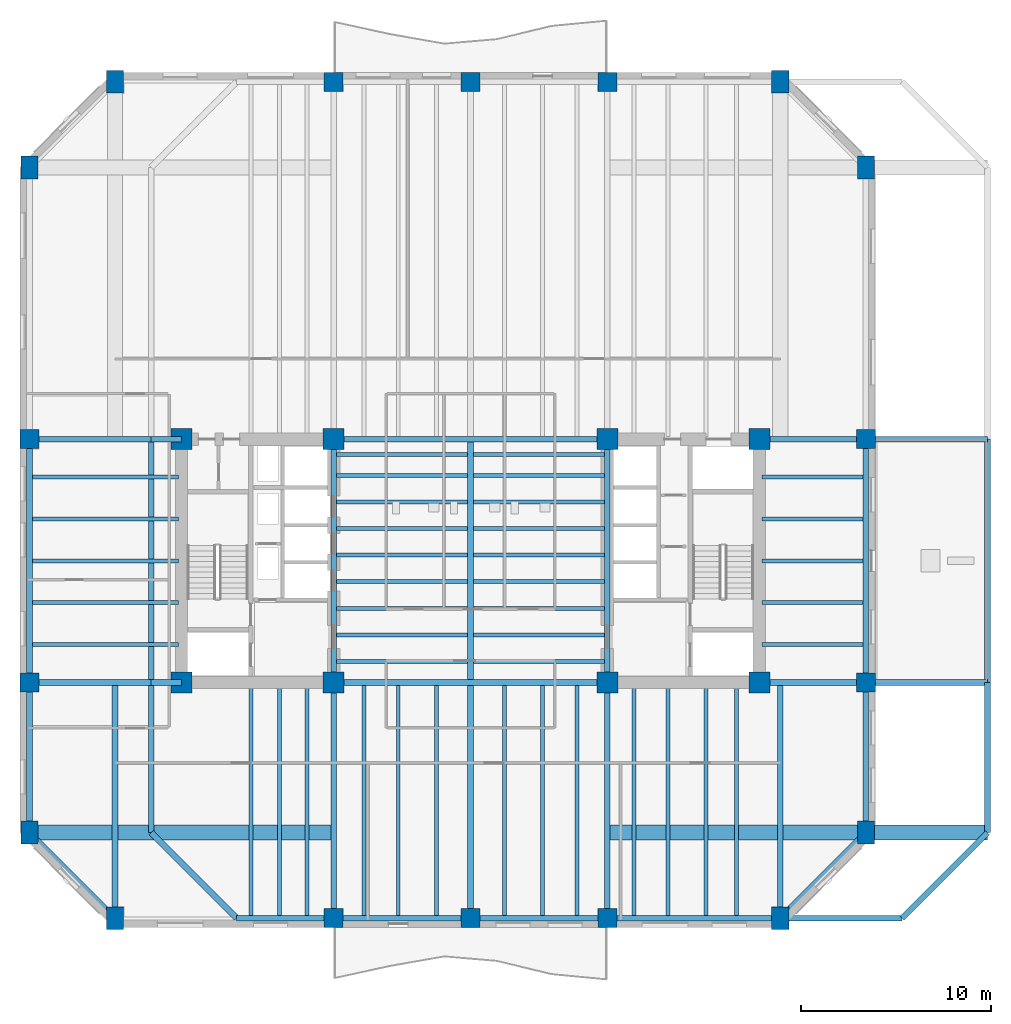
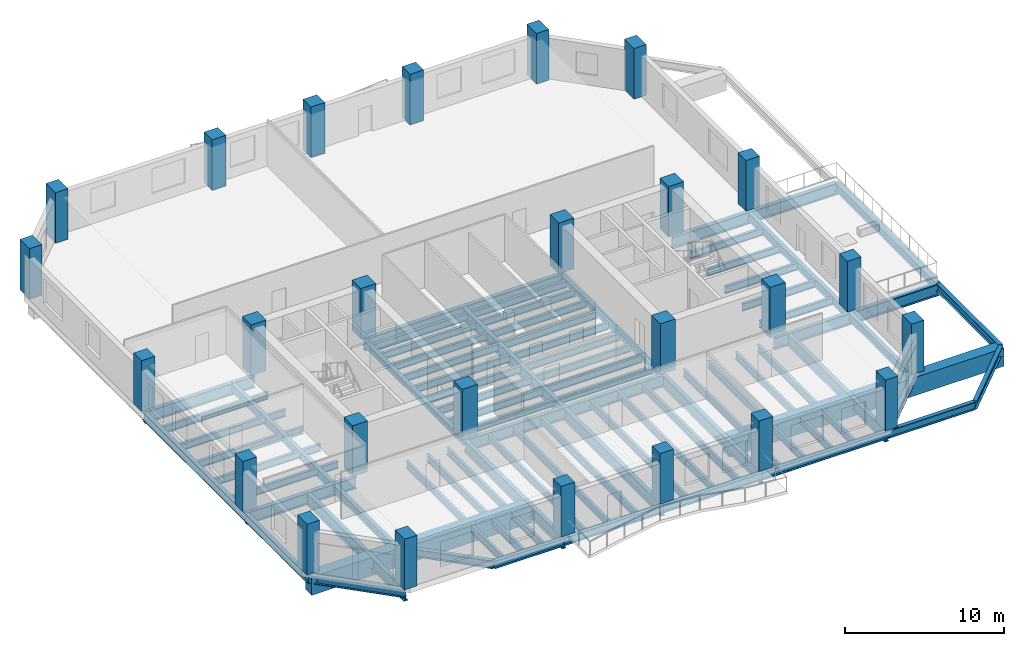
# One storey, part 1 of 11: 75 beams, 26 columns.
"""IFC4 building model written with IfcOpenShell, lengths in metres."""

from ifc_helpers import new_model, si_unit, direction, frame, origin, origin_2d, place, context, subcontext, project, spatial, rectangle, i_section, extrude, material, material_profile, profile_set, type_object, element, save


model = new_model("IFC4")

# Units and contexts
model_context = context("Model", 3, precision=1e-05, world=origin(), true_north=direction((0.0, 1.0)))
body_context = subcontext(model_context, "Body", "Model", "MODEL_VIEW")
ifc_project = project(units=[si_unit("LENGTHUNIT", "METRE"), si_unit("AREAUNIT", "SQUARE_METRE"), si_unit("VOLUMEUNIT", "CUBIC_METRE"), si_unit("PLANEANGLEUNIT", "RADIAN"), si_unit("MASSUNIT", "GRAM", prefix="KILO")], contexts=[model_context])

# Site, building, storey
site_placement = place(None, origin())
site = spatial("IfcSite", under=ifc_project, at=site_placement, CompositionType="ELEMENT")
building_placement = place(site_placement, origin())
building = spatial("IfcBuilding", under=site, at=building_placement, Name="Kranthara Brick Stack", CompositionType="ELEMENT")
storey_placement = place(building_placement, frame((0.0, 0.0, 94.5)))
storey = spatial("IfcBuildingStorey", under=building, at=storey_placement, Name="L23", CompositionType="ELEMENT", Elevation=94.5)

# Columns
ifc_material_1 = material(Name="Concrete C70/85", Category="concrete")
ifc_material_profile_1 = material_profile(ifc_material_1, rectangle(XDim=0.89990234375, YDim=1.199951171875, at=origin_2d()), Name="RC 900x1200")
ifc_profile_set_1 = profile_set([ifc_material_profile_1], Name="Concrete C70/85")
column_type_1 = type_object("IfcColumnType", Name="COL-CHAM-900x1200", PredefinedType="COLUMN", material=ifc_profile_set_1)
for number, where, z_axis, x_axis, name in (
    (1, (9.300048828125, 8.39990234375, 0.0), (0.0, 0.0, 1.0), (1.0, 0.0, 0.0), "L23 Column 09"),
    (2, (9.300048828125, 52.39990234375, 0.0), (0.0, 0.0, 1.0), (1.0, 0.0, 0.0), "L23 Column 10"),
    (3, (44.300048828125, 8.39990234375, 0.0), (0.0, 0.0, 1.0), (1.0, 0.0, 0.0), "L23 Column 17"),
    (4, (44.300048828125, 52.39990234375, 0.0), (0.0, 0.0, 1.0), (1.0, 0.0, 0.0), "L23 Column 18"),
    (5, (4.800048828125, 12.89990234375, 0.0), (0.0, 0.0, 1.0), (1.0, 0.0, 0.0), "L23 Column 19"),
    (6, (48.800048828125, 12.89990234375, 0.0), (0.0, 0.0, 1.0), (1.0, 0.0, 0.0), "L23 Column 20"),
    (7, (4.800048828125, 47.89990234375, 0.0), (0.0, 0.0, 1.0), (1.0, 0.0, 0.0), "L23 Column 25"),
    (8, (48.800048828125, 47.89990234375, 0.0), (0.0, 0.0, 1.0), (1.0, 0.0, 0.0), "L23 Column 26"),
):
    element("IfcColumn", number, at=place(storey_placement, frame(where, z_axis=z_axis, x_axis=x_axis)), inside=storey, type_object=column_type_1, Name=name, PredefinedType="COLUMN", context=body_context, shape_type="SweptSolid", body=[
        extrude(rectangle(XDim=0.89990234375, YDim=1.199951171875, at=origin_2d()), origin(), (0.0, 0.0, 1.0), 3.89990234375),
    ])
ifc_material_2 = material(Name="Concrete C70/85", Category="concrete")
ifc_material_profile_2 = material_profile(ifc_material_2, rectangle(XDim=1.10009765625, YDim=1.10009765625, at=origin_2d()), Name="RC 1100x1100")
ifc_profile_set_2 = profile_set([ifc_material_profile_2], Name="Concrete C70/85")
column_type_2 = type_object("IfcColumnType", Name="COL-CORE-1100", PredefinedType="COLUMN", material=ifc_profile_set_2)
for number, where, z_axis, x_axis, name in (
    (9, (12.800048828125, 20.800048828125, 0.0), (0.0, 0.0, 1.0), (1.0, 0.0, 0.0), "L23 Column 01"),
    (10, (20.800048828125, 20.800048828125, 0.0), (0.0, 0.0, 1.0), (1.0, 0.0, 0.0), "L23 Column 02"),
    (11, (12.800048828125, 33.60009765625, 0.0), (0.0, 0.0, 1.0), (1.0, 0.0, 0.0), "L23 Column 03"),
    (12, (20.800048828125, 33.60009765625, 0.0), (0.0, 0.0, 1.0), (1.0, 0.0, 0.0), "L23 Column 04"),
    (13, (35.199951171875, 20.800048828125, 0.0), (0.0, 0.0, 1.0), (1.0, 0.0, 0.0), "L23 Column 05"),
    (14, (43.199951171875, 20.800048828125, 0.0), (0.0, 0.0, 1.0), (1.0, 0.0, 0.0), "L23 Column 06"),
    (15, (35.199951171875, 33.60009765625, 0.0), (0.0, 0.0, 1.0), (1.0, 0.0, 0.0), "L23 Column 07"),
    (16, (43.199951171875, 33.60009765625, 0.0), (0.0, 0.0, 1.0), (1.0, 0.0, 0.0), "L23 Column 08"),
):
    element("IfcColumn", number, at=place(storey_placement, frame(where, z_axis=z_axis, x_axis=x_axis)), inside=storey, type_object=column_type_2, Name=name, PredefinedType="COLUMN", context=body_context, shape_type="SweptSolid", body=[
        extrude(rectangle(XDim=1.10009765625, YDim=1.10009765625, at=origin_2d()), origin(), (0.0, 0.0, 1.0), 3.89990234375),
    ])
ifc_material_3 = material(Name="Concrete C60/75", Category="concrete")
ifc_material_profile_3 = material_profile(ifc_material_3, rectangle(XDim=1.0, YDim=1.0, at=origin_2d()), Name="RC 1000x1000")
ifc_profile_set_3 = profile_set([ifc_material_profile_3], Name="Concrete C60/75")
column_type_3 = type_object("IfcColumnType", Name="COL-PER-1000", PredefinedType="COLUMN", material=ifc_profile_set_3)
for number, where, z_axis, x_axis, name in (
    (17, (20.800048828125, 8.39990234375, 0.0), (0.0, 0.0, 1.0), (1.0, 0.0, 0.0), "L23 Column 11"),
    (18, (20.800048828125, 52.39990234375, 0.0), (0.0, 0.0, 1.0), (1.0, 0.0, 0.0), "L23 Column 12"),
    (19, (28.0, 8.39990234375, 0.0), (0.0, 0.0, 1.0), (1.0, 0.0, 0.0), "L23 Column 13"),
    (20, (28.0, 52.39990234375, 0.0), (0.0, 0.0, 1.0), (1.0, 0.0, 0.0), "L23 Column 14"),
    (21, (35.199951171875, 8.39990234375, 0.0), (0.0, 0.0, 1.0), (1.0, 0.0, 0.0), "L23 Column 15"),
    (22, (35.199951171875, 52.39990234375, 0.0), (0.0, 0.0, 1.0), (1.0, 0.0, 0.0), "L23 Column 16"),
    (23, (4.800048828125, 20.800048828125, 0.0), (0.0, 0.0, 1.0), (1.0, 0.0, 0.0), "L23 Column 21"),
    (24, (48.800048828125, 20.800048828125, 0.0), (0.0, 0.0, 1.0), (1.0, 0.0, 0.0), "L23 Column 22"),
    (25, (4.800048828125, 33.60009765625, 0.0), (0.0, 0.0, 1.0), (1.0, 0.0, 0.0), "L23 Column 23"),
    (26, (48.800048828125, 33.60009765625, 0.0), (0.0, 0.0, 1.0), (1.0, 0.0, 0.0), "L23 Column 24"),
):
    element("IfcColumn", number, at=place(storey_placement, frame(where, z_axis=z_axis, x_axis=x_axis)), inside=storey, type_object=column_type_3, Name=name, PredefinedType="COLUMN", context=body_context, shape_type="SweptSolid", body=[
        extrude(rectangle(XDim=1.0, YDim=1.0, at=origin_2d()), origin(), (0.0, 0.0, 1.0), 3.89990234375),
    ])

# Beams
ifc_material_4 = material(Name="Steel S355", Category="steel")
ifc_material_profile_4 = material_profile(ifc_material_4, i_section(OverallWidth=0.2099609375, OverallDepth=0.550048828125, WebThickness=0.010986328125, FlangeThickness=0.01708984375, at=origin_2d()), Name="IPE 550")
ifc_profile_set_4 = profile_set([ifc_material_profile_4], Name="Steel S355")
beam_type_1 = type_object("IfcBeamType", Name="BM-JST-IPE550", PredefinedType="JOIST", material=ifc_profile_set_4)
for number, where, z_axis, x_axis, name in (
    (27, (20.949951171875, 21.89990234375, -0.72509765625), (1.0, 0.0, 0.0), (0.0, 1.0, 0.0), "L23 Central Floor Joist 054"),
    (28, (28.14990234375, 21.89990234375, -0.72509765625), (1.0, 0.0, 0.0), (0.0, 1.0, 0.0), "L23 Central Floor Joist 055"),
    (29, (20.949951171875, 23.300048828125, -0.72509765625), (1.0, 0.0, 0.0), (0.0, 1.0, 0.0), "L23 Central Floor Joist 056"),
    (30, (28.14990234375, 23.300048828125, -0.72509765625), (1.0, 0.0, 0.0), (0.0, 1.0, 0.0), "L23 Central Floor Joist 057"),
    (31, (20.949951171875, 24.699951171875, -0.72509765625), (1.0, 0.0, 0.0), (0.0, 1.0, 0.0), "L23 Central Floor Joist 058"),
    (32, (28.14990234375, 24.699951171875, -0.72509765625), (1.0, 0.0, 0.0), (0.0, 1.0, 0.0), "L23 Central Floor Joist 059"),
    (33, (20.949951171875, 26.10009765625, -0.72509765625), (1.0, 0.0, 0.0), (0.0, 1.0, 0.0), "L23 Central Floor Joist 060"),
    (34, (28.14990234375, 26.10009765625, -0.72509765625), (1.0, 0.0, 0.0), (0.0, 1.0, 0.0), "L23 Central Floor Joist 061"),
    (35, (20.949951171875, 27.5, -0.72509765625), (1.0, 0.0, 0.0), (0.0, 1.0, 0.0), "L23 Central Floor Joist 062"),
    (36, (28.14990234375, 27.5, -0.72509765625), (1.0, 0.0, 0.0), (0.0, 1.0, 0.0), "L23 Central Floor Joist 063"),
    (37, (20.949951171875, 28.89990234375, -0.72509765625), (1.0, 0.0, 0.0), (0.0, 1.0, 0.0), "L23 Central Floor Joist 064"),
    (38, (28.14990234375, 28.89990234375, -0.72509765625), (1.0, 0.0, 0.0), (0.0, 1.0, 0.0), "L23 Central Floor Joist 065"),
    (39, (20.949951171875, 30.300048828125, -0.72509765625), (1.0, 0.0, 0.0), (0.0, 1.0, 0.0), "L23 Central Floor Joist 066"),
    (40, (28.14990234375, 30.300048828125, -0.72509765625), (1.0, 0.0, 0.0), (0.0, 1.0, 0.0), "L23 Central Floor Joist 067"),
    (41, (20.949951171875, 31.699951171875, -0.72509765625), (1.0, 0.0, 0.0), (0.0, 1.0, 0.0), "L23 Central Floor Joist 068"),
    (42, (28.14990234375, 31.699951171875, -0.72509765625), (1.0, 0.0, 0.0), (0.0, 1.0, 0.0), "L23 Central Floor Joist 069"),
    (43, (20.949951171875, 32.800048828125, -0.72509765625), (1.0, 0.0, 0.0), (0.0, 1.0, 0.0), "L23 Central Floor Joist 070"),
    (44, (28.14990234375, 32.800048828125, -0.72509765625), (1.0, 0.0, 0.0), (0.0, 1.0, 0.0), "L23 Central Floor Joist 071"),
):
    element("IfcBeam", number, at=place(storey_placement, frame(where, z_axis=z_axis, x_axis=x_axis)), inside=storey, type_object=beam_type_1, Name=name, PredefinedType="JOIST", context=body_context, shape_type="SweptSolid", body=[
        extrude(i_section(OverallWidth=0.2099609375, OverallDepth=0.550048828125, WebThickness=0.010986328125, FlangeThickness=0.01708984375, at=origin_2d()), origin(), (0.0, 0.0, 1.0), 6.900146484375),
    ])
for number, where, z_axis, x_axis, name in (
    (45, (16.449951171875, 8.550048828125, -0.72509765625), (0.0, 1.0, 0.0), (-1.0, 0.0, 0.0), "L23 South Wing Floor Joist 072"),
    (46, (17.949951171875, 8.550048828125, -0.72509765625), (0.0, 1.0, 0.0), (-1.0, 0.0, 0.0), "L23 South Wing Floor Joist 074"),
    (47, (19.39990234375, 8.550048828125, -0.72509765625), (0.0, 1.0, 0.0), (-1.0, 0.0, 0.0), "L23 South Wing Floor Joist 076"),
    (48, (22.39990234375, 8.550048828125, -0.72509765625), (0.0, 1.0, 0.0), (-1.0, 0.0, 0.0), "L23 South Wing Floor Joist 078"),
    (49, (24.199951171875, 8.550048828125, -0.72509765625), (0.0, 1.0, 0.0), (-1.0, 0.0, 0.0), "L23 South Wing Floor Joist 080"),
    (50, (26.199951171875, 8.550048828125, -0.72509765625), (0.0, 1.0, 0.0), (-1.0, 0.0, 0.0), "L23 South Wing Floor Joist 082"),
    (51, (29.800048828125, 8.550048828125, -0.72509765625), (0.0, 1.0, 0.0), (-1.0, 0.0, 0.0), "L23 South Wing Floor Joist 084"),
    (52, (31.800048828125, 8.550048828125, -0.72509765625), (0.0, 1.0, 0.0), (-1.0, 0.0, 0.0), "L23 South Wing Floor Joist 086"),
    (53, (33.60009765625, 8.550048828125, -0.72509765625), (0.0, 1.0, 0.0), (-1.0, 0.0, 0.0), "L23 South Wing Floor Joist 088"),
    (54, (36.60009765625, 8.550048828125, -0.72509765625), (0.0, 1.0, 0.0), (-1.0, 0.0, 0.0), "L23 South Wing Floor Joist 090"),
    (55, (38.39990234375, 8.550048828125, -0.72509765625), (0.0, 1.0, 0.0), (-1.0, 0.0, 0.0), "L23 South Wing Floor Joist 092"),
    (56, (40.39990234375, 8.550048828125, -0.72509765625), (0.0, 1.0, 0.0), (-1.0, 0.0, 0.0), "L23 South Wing Floor Joist 094"),
    (57, (42.0, 8.550048828125, -0.72509765625), (0.0, 1.0, 0.0), (-1.0, 0.0, 0.0), "L23 South Wing Floor Joist 096"),
):
    element("IfcBeam", number, at=place(storey_placement, frame(where, z_axis=z_axis, x_axis=x_axis)), inside=storey, type_object=beam_type_1, Name=name, PredefinedType="JOIST", context=body_context, shape_type="SweptSolid", body=[
        extrude(i_section(OverallWidth=0.2099609375, OverallDepth=0.550048828125, WebThickness=0.010986328125, FlangeThickness=0.01708984375, at=origin_2d()), origin(), (0.0, 0.0, 1.0), 12.099853515625),
    ])
beam_1_placement = place(storey_placement, frame((4.949951171875, 22.800048828125, -0.72509765625), z_axis=(1.0, 0.0, 0.0), x_axis=(0.0, 1.0, 0.0)))
element("IfcBeam", 58, at=beam_1_placement, inside=storey, type_object=beam_type_1, Name="L23 West Wing Floor Joist 098", PredefinedType="JOIST", context=body_context, shape_type="SweptSolid", body=[
    extrude(i_section(OverallWidth=0.2099609375, OverallDepth=0.550048828125, WebThickness=0.010986328125, FlangeThickness=0.01708984375, at=origin_2d()), origin(), (0.0, 0.0, 1.0), 7.699951171875),
])
beam_2_placement = place(storey_placement, frame((43.35009765625, 22.800048828125, -0.72509765625), z_axis=(1.0, 0.0, 0.0), x_axis=(0.0, 1.0, 0.0)))
element("IfcBeam", 59, at=beam_2_placement, inside=storey, type_object=beam_type_1, Name="L23 East Wing Floor Joist 099", PredefinedType="JOIST", context=body_context, shape_type="SweptSolid", body=[
    extrude(i_section(OverallWidth=0.2099609375, OverallDepth=0.550048828125, WebThickness=0.010986328125, FlangeThickness=0.01708984375, at=origin_2d()), origin(), (0.0, 0.0, 1.0), 5.2998046875),
])
beam_3_placement = place(storey_placement, frame((4.949951171875, 25.0, -0.72509765625), z_axis=(1.0, 0.0, 0.0), x_axis=(0.0, 1.0, 0.0)))
element("IfcBeam", 60, at=beam_3_placement, inside=storey, type_object=beam_type_1, Name="L23 West Wing Floor Joist 100", PredefinedType="JOIST", context=body_context, shape_type="SweptSolid", body=[
    extrude(i_section(OverallWidth=0.2099609375, OverallDepth=0.550048828125, WebThickness=0.010986328125, FlangeThickness=0.01708984375, at=origin_2d()), origin(), (0.0, 0.0, 1.0), 7.699951171875),
])
beam_4_placement = place(storey_placement, frame((43.35009765625, 25.0, -0.72509765625), z_axis=(1.0, 0.0, 0.0), x_axis=(0.0, 1.0, 0.0)))
element("IfcBeam", 61, at=beam_4_placement, inside=storey, type_object=beam_type_1, Name="L23 East Wing Floor Joist 101", PredefinedType="JOIST", context=body_context, shape_type="SweptSolid", body=[
    extrude(i_section(OverallWidth=0.2099609375, OverallDepth=0.550048828125, WebThickness=0.010986328125, FlangeThickness=0.01708984375, at=origin_2d()), origin(), (0.0, 0.0, 1.0), 5.2998046875),
])
beam_5_placement = place(storey_placement, frame((4.949951171875, 27.199951171875, -0.72509765625), z_axis=(1.0, 0.0, 0.0), x_axis=(0.0, 1.0, 0.0)))
element("IfcBeam", 62, at=beam_5_placement, inside=storey, type_object=beam_type_1, Name="L23 West Wing Floor Joist 102", PredefinedType="JOIST", context=body_context, shape_type="SweptSolid", body=[
    extrude(i_section(OverallWidth=0.2099609375, OverallDepth=0.550048828125, WebThickness=0.010986328125, FlangeThickness=0.01708984375, at=origin_2d()), origin(), (0.0, 0.0, 1.0), 7.699951171875),
])
beam_6_placement = place(storey_placement, frame((43.35009765625, 27.199951171875, -0.72509765625), z_axis=(1.0, 0.0, 0.0), x_axis=(0.0, 1.0, 0.0)))
element("IfcBeam", 63, at=beam_6_placement, inside=storey, type_object=beam_type_1, Name="L23 East Wing Floor Joist 103", PredefinedType="JOIST", context=body_context, shape_type="SweptSolid", body=[
    extrude(i_section(OverallWidth=0.2099609375, OverallDepth=0.550048828125, WebThickness=0.010986328125, FlangeThickness=0.01708984375, at=origin_2d()), origin(), (0.0, 0.0, 1.0), 5.2998046875),
])
beam_7_placement = place(storey_placement, frame((4.949951171875, 29.39990234375, -0.72509765625), z_axis=(1.0, 0.0, 0.0), x_axis=(0.0, 1.0, 0.0)))
element("IfcBeam", 64, at=beam_7_placement, inside=storey, type_object=beam_type_1, Name="L23 West Wing Floor Joist 104", PredefinedType="JOIST", context=body_context, shape_type="SweptSolid", body=[
    extrude(i_section(OverallWidth=0.2099609375, OverallDepth=0.550048828125, WebThickness=0.010986328125, FlangeThickness=0.01708984375, at=origin_2d()), origin(), (0.0, 0.0, 1.0), 7.699951171875),
])
beam_8_placement = place(storey_placement, frame((43.35009765625, 29.39990234375, -0.72509765625), z_axis=(1.0, 0.0, 0.0), x_axis=(0.0, 1.0, 0.0)))
element("IfcBeam", 65, at=beam_8_placement, inside=storey, type_object=beam_type_1, Name="L23 East Wing Floor Joist 105", PredefinedType="JOIST", context=body_context, shape_type="SweptSolid", body=[
    extrude(i_section(OverallWidth=0.2099609375, OverallDepth=0.550048828125, WebThickness=0.010986328125, FlangeThickness=0.01708984375, at=origin_2d()), origin(), (0.0, 0.0, 1.0), 5.2998046875),
])
beam_9_placement = place(storey_placement, frame((4.949951171875, 31.60009765625, -0.72509765625), z_axis=(1.0, 0.0, 0.0), x_axis=(0.0, 1.0, 0.0)))
element("IfcBeam", 66, at=beam_9_placement, inside=storey, type_object=beam_type_1, Name="L23 West Wing Floor Joist 106", PredefinedType="JOIST", context=body_context, shape_type="SweptSolid", body=[
    extrude(i_section(OverallWidth=0.2099609375, OverallDepth=0.550048828125, WebThickness=0.010986328125, FlangeThickness=0.01708984375, at=origin_2d()), origin(), (0.0, 0.0, 1.0), 7.699951171875),
])
beam_10_placement = place(storey_placement, frame((43.35009765625, 31.60009765625, -0.72509765625), z_axis=(1.0, 0.0, 0.0), x_axis=(0.0, 1.0, 0.0)))
element("IfcBeam", 67, at=beam_10_placement, inside=storey, type_object=beam_type_1, Name="L23 East Wing Floor Joist 107", PredefinedType="JOIST", context=body_context, shape_type="SweptSolid", body=[
    extrude(i_section(OverallWidth=0.2099609375, OverallDepth=0.550048828125, WebThickness=0.010986328125, FlangeThickness=0.01708984375, at=origin_2d()), origin(), (0.0, 0.0, 1.0), 5.2998046875),
])
ifc_material_5 = material(Name="Steel S355", Category="steel")
ifc_material_profile_5 = material_profile(ifc_material_5, i_section(OverallWidth=0.300048828125, OverallDepth=0.449951171875, WebThickness=0.013916015625, FlangeThickness=0.02587890625, at=origin_2d()), Name="HEB 450")
ifc_profile_set_5 = profile_set([ifc_material_profile_5], Name="Steel S355")
beam_type_2 = type_object("IfcBeamType", Name="BM-STL-HEB450", PredefinedType="SPANDREL", material=ifc_profile_set_5)
for number, where, z_axis, x_axis, name in (
    (68, (20.800048828125, 20.800048828125, -0.675048828125), (0.0, 1.0, 0.0), (-1.0, 0.0, 0.0), "L23 Core Edge Tie Beam 003"),
    (69, (35.199951171875, 20.800048828125, -0.675048828125), (0.0, 1.0, 0.0), (-1.0, 0.0, 0.0), "L23 Core Edge Tie Beam 004"),
):
    element("IfcBeam", number, at=place(storey_placement, frame(where, z_axis=z_axis, x_axis=x_axis)), inside=storey, type_object=beam_type_2, Name=name, PredefinedType="SPANDREL", context=body_context, shape_type="SweptSolid", body=[
        extrude(i_section(OverallWidth=0.300048828125, OverallDepth=0.449951171875, WebThickness=0.013916015625, FlangeThickness=0.02587890625, at=origin_2d()), origin(), (0.0, 0.0, 1.0), 12.800048828125),
    ])
ifc_material_6 = material(Name="Steel S355", Category="steel")
ifc_material_profile_6 = material_profile(ifc_material_6, i_section(OverallWidth=0.300048828125, OverallDepth=0.60009765625, WebThickness=0.015380859375, FlangeThickness=0.030029296875, at=origin_2d()), Name="HEB 600")
ifc_profile_set_6 = profile_set([ifc_material_profile_6], Name="Steel S355")
beam_type_3 = type_object("IfcBeamType", Name="BM-STL-HEB600", PredefinedType="BEAM", material=ifc_profile_set_6)
beam_11_placement = place(storey_placement, frame((15.699951171875, 8.39990234375, -0.75), z_axis=(1.0, 0.0, 0.0), x_axis=(0.0, 1.0, 0.0)))
element("IfcBeam", 70, at=beam_11_placement, inside=storey, type_object=beam_type_3, Name="L23 Perimeter Spandrel Beam 005", PredefinedType="BEAM", context=body_context, shape_type="SweptSolid", body=[
    extrude(i_section(OverallWidth=0.300048828125, OverallDepth=0.60009765625, WebThickness=0.015380859375, FlangeThickness=0.030029296875, at=origin_2d()), origin(), (0.0, 0.0, 1.0), 5.10009765625),
])
for number, where, z_axis, x_axis, name in (
    (71, (20.800048828125, 8.39990234375, -0.75), (1.0, 0.0, 0.0), (0.0, 1.0, 0.0), "L23 Perimeter Spandrel Beam 006"),
    (72, (28.0, 8.39990234375, -0.75), (1.0, 0.0, 0.0), (0.0, 1.0, 0.0), "L23 Perimeter Spandrel Beam 007"),
):
    element("IfcBeam", number, at=place(storey_placement, frame(where, z_axis=z_axis, x_axis=x_axis)), inside=storey, type_object=beam_type_3, Name=name, PredefinedType="BEAM", context=body_context, shape_type="SweptSolid", body=[
        extrude(i_section(OverallWidth=0.300048828125, OverallDepth=0.60009765625, WebThickness=0.015380859375, FlangeThickness=0.030029296875, at=origin_2d()), origin(), (0.0, 0.0, 1.0), 7.199951171875),
    ])
beam_12_placement = place(storey_placement, frame((35.199951171875, 8.39990234375, -0.75), z_axis=(1.0, 0.0, 0.0), x_axis=(0.0, 1.0, 0.0)))
element("IfcBeam", 73, at=beam_12_placement, inside=storey, type_object=beam_type_3, Name="L23 Perimeter Spandrel Beam 008", PredefinedType="BEAM", context=body_context, shape_type="SweptSolid", body=[
    extrude(i_section(OverallWidth=0.300048828125, OverallDepth=0.60009765625, WebThickness=0.015380859375, FlangeThickness=0.030029296875, at=origin_2d()), origin(), (0.0, 0.0, 1.0), 15.5),
])
beam_13_placement = place(storey_placement, frame((11.199951171875, 12.89990234375, -0.75), z_axis=(0.0, 1.0, 0.0), x_axis=(-1.0, 0.0, 0.0)))
element("IfcBeam", 74, at=beam_13_placement, inside=storey, type_object=beam_type_3, Name="L23 Perimeter Spandrel Beam 013", PredefinedType="BEAM", context=body_context, shape_type="SweptSolid", body=[
    extrude(i_section(OverallWidth=0.300048828125, OverallDepth=0.60009765625, WebThickness=0.015380859375, FlangeThickness=0.030029296875, at=origin_2d()), origin(), (0.0, 0.0, 1.0), 7.900146484375),
])
beam_14_placement = place(storey_placement, frame((11.199951171875, 20.800048828125, -0.75), z_axis=(0.0, 1.0, 0.0), x_axis=(-1.0, 0.0, 0.0)))
element("IfcBeam", 75, at=beam_14_placement, inside=storey, type_object=beam_type_3, Name="L23 Perimeter Spandrel Beam 014", PredefinedType="BEAM", context=body_context, shape_type="SweptSolid", body=[
    extrude(i_section(OverallWidth=0.300048828125, OverallDepth=0.60009765625, WebThickness=0.015380859375, FlangeThickness=0.030029296875, at=origin_2d()), origin(), (0.0, 0.0, 1.0), 12.800048828125),
])
beam_15_placement = place(storey_placement, frame((55.199951171875, 12.89990234375, -0.75), z_axis=(0.0, 1.0, 0.0), x_axis=(-1.0, 0.0, 0.0)))
element("IfcBeam", 76, at=beam_15_placement, inside=storey, type_object=beam_type_3, Name="L23 Perimeter Spandrel Beam 016", PredefinedType="BEAM", context=body_context, shape_type="SweptSolid", body=[
    extrude(i_section(OverallWidth=0.300048828125, OverallDepth=0.60009765625, WebThickness=0.015380859375, FlangeThickness=0.030029296875, at=origin_2d()), origin(), (0.0, 0.0, 1.0), 7.900146484375),
])
beam_16_placement = place(storey_placement, frame((55.199951171875, 20.800048828125, -0.75), z_axis=(0.0, 1.0, 0.0), x_axis=(-1.0, 0.0, 0.0)))
element("IfcBeam", 77, at=beam_16_placement, inside=storey, type_object=beam_type_3, Name="L23 Perimeter Spandrel Beam 017", PredefinedType="BEAM", context=body_context, shape_type="SweptSolid", body=[
    extrude(i_section(OverallWidth=0.300048828125, OverallDepth=0.60009765625, WebThickness=0.015380859375, FlangeThickness=0.030029296875, at=origin_2d()), origin(), (0.0, 0.0, 1.0), 12.800048828125),
])
for number, where, z_axis, x_axis, name in (
    (78, (15.699951171875, 8.39990234375, -0.75), (-0.707106781187, 0.707106781187, 0.0), (-0.707106781187, -0.707106781187, 0.0), "L23 Chamfer Corner Spandrel 019"),
    (79, (50.699951171875, 8.39990234375, -0.75), (0.707106781187, 0.707106781187, 0.0), (-0.707106781187, 0.707106781187, 0.0), "L23 Chamfer Corner Spandrel 020"),
):
    element("IfcBeam", number, at=place(storey_placement, frame(where, z_axis=z_axis, x_axis=x_axis)), inside=storey, type_object=beam_type_3, Name=name, PredefinedType="BEAM", context=body_context, shape_type="SweptSolid", body=[
        extrude(i_section(OverallWidth=0.300048828125, OverallDepth=0.60009765625, WebThickness=0.015380859375, FlangeThickness=0.030029296875, at=origin_2d()), origin(), (0.0, 0.0, 1.0), 6.364013671875),
    ])
beam_17_placement = place(storey_placement, frame((4.800048828125, 12.89990234375, -0.75), z_axis=(0.0, 1.0, 0.0), x_axis=(-1.0, 0.0, 0.0)))
element("IfcBeam", 80, at=beam_17_placement, inside=storey, type_object=beam_type_3, Name="L23 Perimeter Spandrel Beam 023", PredefinedType="BEAM", context=body_context, shape_type="SweptSolid", body=[
    extrude(i_section(OverallWidth=0.300048828125, OverallDepth=0.60009765625, WebThickness=0.015380859375, FlangeThickness=0.030029296875, at=origin_2d()), origin(), (0.0, 0.0, 1.0), 7.900146484375),
])
beam_18_placement = place(storey_placement, frame((4.800048828125, 20.800048828125, -0.75), z_axis=(0.0, 1.0, 0.0), x_axis=(-1.0, 0.0, 0.0)))
element("IfcBeam", 81, at=beam_18_placement, inside=storey, type_object=beam_type_3, Name="L23 Perimeter Spandrel Beam 024", PredefinedType="BEAM", context=body_context, shape_type="SweptSolid", body=[
    extrude(i_section(OverallWidth=0.300048828125, OverallDepth=0.60009765625, WebThickness=0.015380859375, FlangeThickness=0.030029296875, at=origin_2d()), origin(), (0.0, 0.0, 1.0), 12.800048828125),
])
beam_19_placement = place(storey_placement, frame((48.800048828125, 12.89990234375, -0.75), z_axis=(0.0, 1.0, 0.0), x_axis=(-1.0, 0.0, 0.0)))
element("IfcBeam", 82, at=beam_19_placement, inside=storey, type_object=beam_type_3, Name="L23 Perimeter Spandrel Beam 026", PredefinedType="BEAM", context=body_context, shape_type="SweptSolid", body=[
    extrude(i_section(OverallWidth=0.300048828125, OverallDepth=0.60009765625, WebThickness=0.015380859375, FlangeThickness=0.030029296875, at=origin_2d()), origin(), (0.0, 0.0, 1.0), 7.900146484375),
])
beam_20_placement = place(storey_placement, frame((48.800048828125, 20.800048828125, -0.75), z_axis=(0.0, 1.0, 0.0), x_axis=(-1.0, 0.0, 0.0)))
element("IfcBeam", 83, at=beam_20_placement, inside=storey, type_object=beam_type_3, Name="L23 Perimeter Spandrel Beam 027", PredefinedType="BEAM", context=body_context, shape_type="SweptSolid", body=[
    extrude(i_section(OverallWidth=0.300048828125, OverallDepth=0.60009765625, WebThickness=0.015380859375, FlangeThickness=0.030029296875, at=origin_2d()), origin(), (0.0, 0.0, 1.0), 12.800048828125),
])
for number, where, z_axis, x_axis, name in (
    (84, (9.300048828125, 8.39990234375, -0.75), (-0.707106781187, 0.707106781187, 0.0), (-0.707106781187, -0.707106781187, 0.0), "L23 Chamfer Corner Spandrel 029"),
    (85, (44.300048828125, 8.39990234375, -0.75), (0.707106781187, 0.707106781187, 0.0), (-0.707106781187, 0.707106781187, 0.0), "L23 Chamfer Corner Spandrel 030"),
):
    element("IfcBeam", number, at=place(storey_placement, frame(where, z_axis=z_axis, x_axis=x_axis)), inside=storey, type_object=beam_type_3, Name=name, PredefinedType="BEAM", context=body_context, shape_type="SweptSolid", body=[
        extrude(i_section(OverallWidth=0.300048828125, OverallDepth=0.60009765625, WebThickness=0.015380859375, FlangeThickness=0.030029296875, at=origin_2d()), origin(), (0.0, 0.0, 1.0), 6.364013671875),
    ])
ifc_material_7 = material(Name="Steel S460", Category="steel")
ifc_material_profile_7 = material_profile(ifc_material_7, i_section(OverallWidth=0.300048828125, OverallDepth=0.89990234375, WebThickness=0.0185546875, FlangeThickness=0.034912109375, at=origin_2d()), Name="HEB 900")
ifc_profile_set_7 = profile_set([ifc_material_profile_7], Name="Steel S460")
beam_type_4 = type_object("IfcBeamType", Name="BM-TR-HEB900", PredefinedType="BEAM", material=ifc_profile_set_7)
for number, where, z_axis, x_axis, name in (
    (86, (20.800048828125, 20.800048828125, -0.89990234375), (1.0, 0.0, 0.0), (0.0, 1.0, 0.0), "L23 Core Coupling Beam 001"),
    (87, (20.800048828125, 33.60009765625, -0.89990234375), (1.0, 0.0, 0.0), (0.0, 1.0, 0.0), "L23 Core Coupling Beam 002"),
):
    element("IfcBeam", number, at=place(storey_placement, frame(where, z_axis=z_axis, x_axis=x_axis)), inside=storey, type_object=beam_type_4, Name=name, PredefinedType="BEAM", context=body_context, shape_type="SweptSolid", body=[
        extrude(i_section(OverallWidth=0.300048828125, OverallDepth=0.89990234375, WebThickness=0.0185546875, FlangeThickness=0.034912109375, at=origin_2d()), origin(), (0.0, 0.0, 1.0), 14.39990234375),
    ])
beam_21_placement = place(storey_placement, frame((20.800048828125, 8.39990234375, -0.89990234375), z_axis=(0.0, 1.0, 0.0), x_axis=(-1.0, 0.0, 0.0)))
element("IfcBeam", 88, at=beam_21_placement, inside=storey, type_object=beam_type_4, Name="L23 Primary Grid Girder 033", PredefinedType="BEAM", context=body_context, shape_type="SweptSolid", body=[
    extrude(i_section(OverallWidth=0.300048828125, OverallDepth=0.89990234375, WebThickness=0.0185546875, FlangeThickness=0.034912109375, at=origin_2d()), origin(), (0.0, 0.0, 1.0), 12.400146484375),
])
beam_22_placement = place(storey_placement, frame((28.0, 8.39990234375, -0.89990234375), z_axis=(0.0, 1.0, 0.0), x_axis=(-1.0, 0.0, 0.0)))
element("IfcBeam", 89, at=beam_22_placement, inside=storey, type_object=beam_type_4, Name="L23 Primary Grid Girder 035", PredefinedType="BEAM", context=body_context, shape_type="SweptSolid", body=[
    extrude(i_section(OverallWidth=0.300048828125, OverallDepth=0.89990234375, WebThickness=0.0185546875, FlangeThickness=0.034912109375, at=origin_2d()), origin(), (0.0, 0.0, 1.0), 12.25),
])
beam_23_placement = place(storey_placement, frame((28.0, 20.949951171875, -0.89990234375), z_axis=(0.0, 1.0, 0.0), x_axis=(-1.0, 0.0, 0.0)))
element("IfcBeam", 90, at=beam_23_placement, inside=storey, type_object=beam_type_4, Name="L23 Central Spine Girder 036", PredefinedType="BEAM", context=body_context, shape_type="SweptSolid", body=[
    extrude(i_section(OverallWidth=0.300048828125, OverallDepth=0.89990234375, WebThickness=0.0185546875, FlangeThickness=0.034912109375, at=origin_2d()), origin(), (0.0, 0.0, 1.0), 12.5),
])
beam_24_placement = place(storey_placement, frame((35.199951171875, 8.39990234375, -0.89990234375), z_axis=(0.0, 1.0, 0.0), x_axis=(-1.0, 0.0, 0.0)))
element("IfcBeam", 91, at=beam_24_placement, inside=storey, type_object=beam_type_4, Name="L23 Primary Grid Girder 038", PredefinedType="BEAM", context=body_context, shape_type="SweptSolid", body=[
    extrude(i_section(OverallWidth=0.300048828125, OverallDepth=0.89990234375, WebThickness=0.0185546875, FlangeThickness=0.034912109375, at=origin_2d()), origin(), (0.0, 0.0, 1.0), 12.400146484375),
])
beam_25_placement = place(storey_placement, frame((4.800048828125, 20.800048828125, -0.89990234375), z_axis=(1.0, 0.0, 0.0), x_axis=(0.0, 1.0, 0.0)))
element("IfcBeam", 92, at=beam_25_placement, inside=storey, type_object=beam_type_4, Name="L23 Primary Grid Girder 040", PredefinedType="BEAM", context=body_context, shape_type="SweptSolid", body=[
    extrude(i_section(OverallWidth=0.300048828125, OverallDepth=0.89990234375, WebThickness=0.0185546875, FlangeThickness=0.034912109375, at=origin_2d()), origin(), (0.0, 0.0, 1.0), 6.39990234375),
])
beam_26_placement = place(storey_placement, frame((11.199951171875, 20.800048828125, -0.89990234375), z_axis=(1.0, 0.0, 0.0), x_axis=(0.0, 1.0, 0.0)))
element("IfcBeam", 93, at=beam_26_placement, inside=storey, type_object=beam_type_4, Name="L23 Primary Grid Girder 041", PredefinedType="BEAM", context=body_context, shape_type="SweptSolid", body=[
    extrude(i_section(OverallWidth=0.300048828125, OverallDepth=0.89990234375, WebThickness=0.0185546875, FlangeThickness=0.034912109375, at=origin_2d()), origin(), (0.0, 0.0, 1.0), 1.60009765625),
])
beam_27_placement = place(storey_placement, frame((43.199951171875, 20.800048828125, -0.89990234375), z_axis=(1.0, 0.0, 0.0), x_axis=(0.0, 1.0, 0.0)))
element("IfcBeam", 94, at=beam_27_placement, inside=storey, type_object=beam_type_4, Name="L23 Primary Grid Girder 042", PredefinedType="BEAM", context=body_context, shape_type="SweptSolid", body=[
    extrude(i_section(OverallWidth=0.300048828125, OverallDepth=0.89990234375, WebThickness=0.0185546875, FlangeThickness=0.034912109375, at=origin_2d()), origin(), (0.0, 0.0, 1.0), 12.0),
])
beam_28_placement = place(storey_placement, frame((4.800048828125, 33.60009765625, -0.89990234375), z_axis=(1.0, 0.0, 0.0), x_axis=(0.0, 1.0, 0.0)))
element("IfcBeam", 95, at=beam_28_placement, inside=storey, type_object=beam_type_4, Name="L23 Primary Grid Girder 043", PredefinedType="BEAM", context=body_context, shape_type="SweptSolid", body=[
    extrude(i_section(OverallWidth=0.300048828125, OverallDepth=0.89990234375, WebThickness=0.0185546875, FlangeThickness=0.034912109375, at=origin_2d()), origin(), (0.0, 0.0, 1.0), 6.39990234375),
])
beam_29_placement = place(storey_placement, frame((11.199951171875, 33.60009765625, -0.89990234375), z_axis=(1.0, 0.0, 0.0), x_axis=(0.0, 1.0, 0.0)))
element("IfcBeam", 96, at=beam_29_placement, inside=storey, type_object=beam_type_4, Name="L23 Primary Grid Girder 044", PredefinedType="BEAM", context=body_context, shape_type="SweptSolid", body=[
    extrude(i_section(OverallWidth=0.300048828125, OverallDepth=0.89990234375, WebThickness=0.0185546875, FlangeThickness=0.034912109375, at=origin_2d()), origin(), (0.0, 0.0, 1.0), 1.60009765625),
])
beam_30_placement = place(storey_placement, frame((43.199951171875, 33.60009765625, -0.89990234375), z_axis=(1.0, 0.0, 0.0), x_axis=(0.0, 1.0, 0.0)))
element("IfcBeam", 97, at=beam_30_placement, inside=storey, type_object=beam_type_4, Name="L23 Primary Grid Girder 045", PredefinedType="BEAM", context=body_context, shape_type="SweptSolid", body=[
    extrude(i_section(OverallWidth=0.300048828125, OverallDepth=0.89990234375, WebThickness=0.0185546875, FlangeThickness=0.034912109375, at=origin_2d()), origin(), (0.0, 0.0, 1.0), 12.0),
])
for number, where, z_axis, x_axis, name in (
    (98, (9.300048828125, 8.39990234375, -0.89990234375), (0.0, 1.0, 0.0), (-1.0, 0.0, 0.0), "L23 Transfer Tie Girder 046"),
    (99, (44.300048828125, 8.39990234375, -0.89990234375), (0.0, 1.0, 0.0), (-1.0, 0.0, 0.0), "L23 Transfer Tie Girder 048"),
):
    element("IfcBeam", number, at=place(storey_placement, frame(where, z_axis=z_axis, x_axis=x_axis)), inside=storey, type_object=beam_type_4, Name=name, PredefinedType="BEAM", context=body_context, shape_type="SweptSolid", body=[
        extrude(i_section(OverallWidth=0.300048828125, OverallDepth=0.89990234375, WebThickness=0.0185546875, FlangeThickness=0.034912109375, at=origin_2d()), origin(), (0.0, 0.0, 1.0), 12.400146484375),
    ])
ifc_material_8 = material(Name="Post-tensioned concrete C50/60", Category="concrete")
ifc_material_profile_8 = material_profile(ifc_material_8, rectangle(XDim=0.800048828125, YDim=1.39990234375, at=origin_2d()), Name="PT 800x1400")
ifc_profile_set_8 = profile_set([ifc_material_profile_8], Name="Post-tensioned concrete C50/60")
beam_type_5 = type_object("IfcBeamType", Name="BM-TR-PT1400", PredefinedType="T_BEAM", material=ifc_profile_set_8)
beam_31_placement = place(storey_placement, frame((4.800048828125, 12.89990234375, -1.14990234375), z_axis=(1.0, 0.0, 0.0), x_axis=(0.0, 1.0, 0.0)))
element("IfcBeam", 100, at=beam_31_placement, inside=storey, type_object=beam_type_5, Name="L23 Transfer Tie Girder 050", PredefinedType="T_BEAM", context=body_context, shape_type="SweptSolid", body=[
    extrude(rectangle(XDim=0.800048828125, YDim=1.39990234375, at=origin_2d()), origin(), (0.0, 0.0, 1.0), 16.0),
])
beam_32_placement = place(storey_placement, frame((55.199951171875, 12.89990234375, -1.14990234375), z_axis=(-1.0, 0.0, 0.0), x_axis=(0.0, -1.0, 0.0)))
element("IfcBeam", 101, at=beam_32_placement, inside=storey, type_object=beam_type_5, Name="L23 Transfer Tie Girder 051", PredefinedType="T_BEAM", context=body_context, shape_type="SweptSolid", body=[
    extrude(rectangle(XDim=0.800048828125, YDim=1.39990234375, at=origin_2d()), origin(), (0.0, 0.0, 1.0), 20.0),
])

save(model, "model.ifc")
